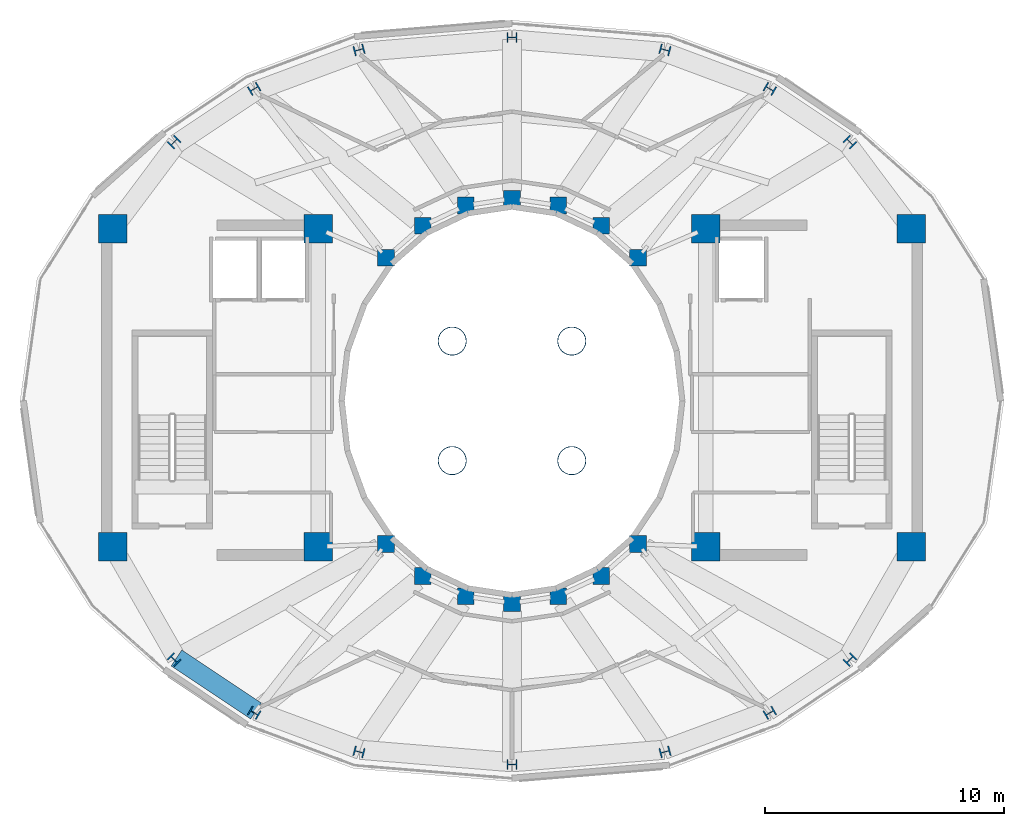
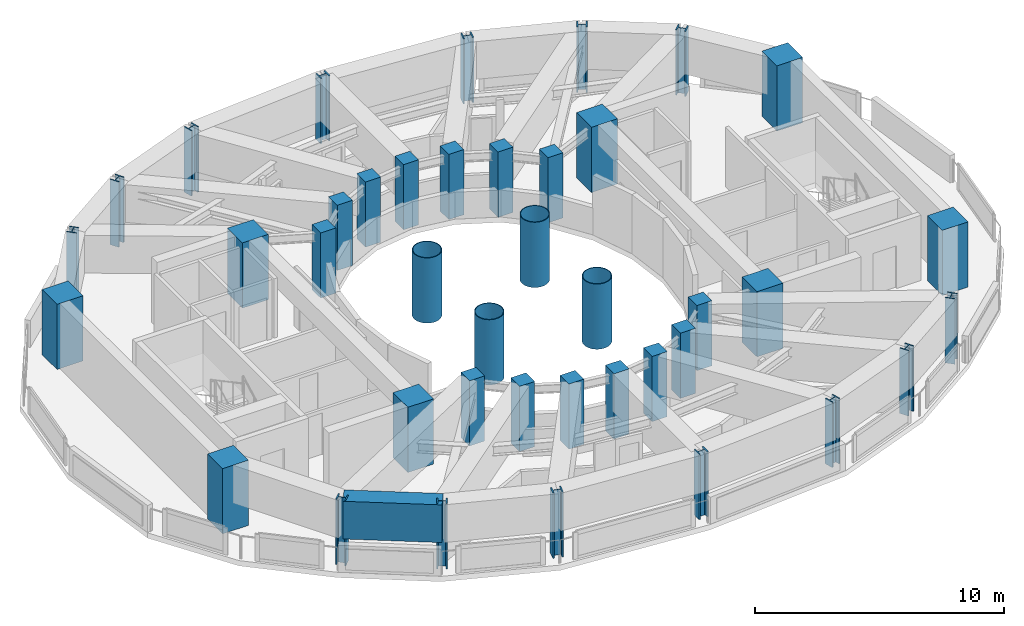
# One storey, part 1 of 17: 40 columns, 1 beam.
"""IFC4 building model written with IfcOpenShell, lengths in metres."""

from ifc_helpers import new_model, si_unit, direction, frame, origin, origin_2d, place, context, subcontext, project, spatial, rectangle, hollow_circle, i_section, extrude, material, material_profile, profile_set, type_object, element, save


model = new_model("IFC4")

# Units and contexts
model_context = context("Model", 3, precision=1e-05, world=origin(), true_north=direction((0.0, 1.0)))
body_context = subcontext(model_context, "Body", "Model", "MODEL_VIEW")
ifc_project = project(units=[si_unit("LENGTHUNIT", "METRE"), si_unit("AREAUNIT", "SQUARE_METRE"), si_unit("VOLUMEUNIT", "CUBIC_METRE"), si_unit("PLANEANGLEUNIT", "RADIAN"), si_unit("MASSUNIT", "GRAM", prefix="KILO")], contexts=[model_context])

# Site, building, storey
site_placement = place(None, origin())
site = spatial("IfcSite", under=ifc_project, at=site_placement, CompositionType="ELEMENT")
building_placement = place(site_placement, origin())
building = spatial("IfcBuilding", under=site, at=building_placement, Name="Solvane Sanctuary Tower", CompositionType="ELEMENT")
storey_placement = place(building_placement, frame((0.0, 0.0, 270.0)))
storey = spatial("IfcBuildingStorey", under=building, at=storey_placement, Name="L82", CompositionType="ELEMENT", Elevation=270.0)

# Columns
ifc_material_1 = material(Name="Steel ASTM A913 Grade 65", Category="steel")
ifc_material_profile_1 = material_profile(ifc_material_1, i_section(OverallWidth=0.412109375, OverallDepth=0.43505859375, WebThickness=0.035888671875, FlangeThickness=0.057373046875, FilletRadius=0.02490234375, at=origin_2d()), Name="W14X311")
ifc_profile_set_1 = profile_set([ifc_material_profile_1], Name="Steel ASTM A913 Grade 65")
column_type_1 = type_object("IfcColumnType", Name="Column C-CROWN W14X311", PredefinedType="COLUMN", material=ifc_profile_set_1)
for number, where, z_axis, x_axis, name in (
    (1, (46.13427734375, 33.82275390625, 0.0), (0.0, 0.0, 1.0), (0.707106781187, 0.707106781187, 0.0), "L82 Perimeter Tube Column TC01"),
    (2, (42.7841796875, 36.051025390625, 0.0), (0.0, 0.0, 1.0), (0.5, 0.866025403784, 0.0), "L82 Perimeter Tube Column TC02"),
    (3, (38.398681640625, 37.681640625, 0.0), (0.0, 0.0, 1.0), (0.258819045103, 0.965925826289, 0.0), "L82 Perimeter Tube Column TC03"),
    (4, (32.0, 38.20703125, 0.0), (0.0, 0.0, 1.0), (0.0, 1.0, 0.0), "L82 Perimeter Tube Column TC04"),
    (5, (25.601318359375, 37.681640625, 0.0), (0.0, 0.0, 1.0), (-0.258819045103, 0.965925826289, 0.0), "L82 Perimeter Tube Column TC05"),
    (6, (21.2158203125, 36.051025390625, 0.0), (0.0, 0.0, 1.0), (-0.5, 0.866025403784, 0.0), "L82 Perimeter Tube Column TC06"),
    (7, (17.86572265625, 33.82275390625, 0.0), (0.0, 0.0, 1.0), (-0.707106781187, 0.707106781187, 0.0), "L82 Perimeter Tube Column TC07"),
    (8, (17.86572265625, 12.17724609375, 0.0), (0.0, 0.0, 1.0), (-0.707106781187, -0.707106781187, 0.0), "L82 Perimeter Tube Column TC08"),
    (9, (21.2158203125, 9.948974609375, 0.0), (0.0, 0.0, 1.0), (-0.5, -0.866025403784, 0.0), "L82 Perimeter Tube Column TC09"),
    (10, (25.601318359375, 8.318359375, 0.0), (0.0, 0.0, 1.0), (-0.258819045103, -0.965925826289, 0.0), "L82 Perimeter Tube Column TC10"),
    (11, (32.0, 7.79296875, 0.0), (0.0, 0.0, 1.0), (0.0, -1.0, 0.0), "L82 Perimeter Tube Column TC11"),
    (12, (38.398681640625, 8.318359375, 0.0), (0.0, 0.0, 1.0), (0.258819045103, -0.965925826289, 0.0), "L82 Perimeter Tube Column TC12"),
    (13, (42.7841796875, 9.948974609375, 0.0), (0.0, 0.0, 1.0), (0.5, -0.866025403784, 0.0), "L82 Perimeter Tube Column TC13"),
    (14, (46.13427734375, 12.17724609375, 0.0), (0.0, 0.0, 1.0), (0.707106781187, -0.707106781187, 0.0), "L82 Perimeter Tube Column TC14"),
):
    element("IfcColumn", number, at=place(storey_placement, frame(where, z_axis=z_axis, x_axis=x_axis)), inside=storey, type_object=column_type_1, Name=name, PredefinedType="COLUMN", context=body_context, shape_type="SweptSolid", body=[
        extrude(i_section(OverallWidth=0.412109375, OverallDepth=0.43505859375, WebThickness=0.035888671875, FlangeThickness=0.057373046875, FilletRadius=0.02490234375, at=origin_2d()), origin(), (0.0, 0.0, 1.0), 3.199951171875),
    ])
ifc_material_2 = material(Name="Concrete C50/60", Category="concrete")
ifc_material_profile_2 = material_profile(ifc_material_2, rectangle(XDim=0.699951171875, YDim=0.699951171875, at=origin_2d()), Name="RC700X700")
ifc_profile_set_2 = profile_set([ifc_material_profile_2], Name="Concrete C50/60")
column_type_2 = type_object("IfcColumnType", Name="Column C-RING-Z4 RC700X700", PredefinedType="COLUMN", material=ifc_profile_set_2)
for number, where, z_axis, x_axis, name in (
    (15, (37.27490234375, 28.982177734375, 0.0), (0.0, 0.0, 1.0), (1.0, 0.0, 0.0), "L82 Inner Light-Well Ring Column IC01"),
    (16, (35.72998046875, 30.32666015625, 0.0), (0.0, 0.0, 1.0), (1.0, 0.0, 0.0), "L82 Inner Light-Well Ring Column IC02"),
    (17, (33.930908203125, 31.171630859375, 0.0), (0.0, 0.0, 1.0), (1.0, 0.0, 0.0), "L82 Inner Light-Well Ring Column IC03"),
    (18, (32.0, 31.4599609375, 0.0), (0.0, 0.0, 1.0), (1.0, 0.0, 0.0), "L82 Inner Light-Well Ring Column IC04"),
    (19, (30.069091796875, 31.171630859375, 0.0), (0.0, 0.0, 1.0), (1.0, 0.0, 0.0), "L82 Inner Light-Well Ring Column IC05"),
    (20, (28.27001953125, 30.32666015625, 0.0), (0.0, 0.0, 1.0), (1.0, 0.0, 0.0), "L82 Inner Light-Well Ring Column IC06"),
    (21, (26.72509765625, 28.982177734375, 0.0), (0.0, 0.0, 1.0), (1.0, 0.0, 0.0), "L82 Inner Light-Well Ring Column IC07"),
    (22, (26.72509765625, 17.017822265625, 0.0), (0.0, 0.0, 1.0), (1.0, 0.0, 0.0), "L82 Inner Light-Well Ring Column IC08"),
    (23, (28.27001953125, 15.67333984375, 0.0), (0.0, 0.0, 1.0), (1.0, 0.0, 0.0), "L82 Inner Light-Well Ring Column IC09"),
    (24, (30.069091796875, 14.828369140625, 0.0), (0.0, 0.0, 1.0), (1.0, 0.0, 0.0), "L82 Inner Light-Well Ring Column IC10"),
    (25, (32.0, 14.5400390625, 0.0), (0.0, 0.0, 1.0), (1.0, 0.0, 0.0), "L82 Inner Light-Well Ring Column IC11"),
    (26, (33.930908203125, 14.828369140625, 0.0), (0.0, 0.0, 1.0), (1.0, 0.0, 0.0), "L82 Inner Light-Well Ring Column IC12"),
    (27, (35.72998046875, 15.67333984375, 0.0), (0.0, 0.0, 1.0), (1.0, 0.0, 0.0), "L82 Inner Light-Well Ring Column IC13"),
    (28, (37.27490234375, 17.017822265625, 0.0), (0.0, 0.0, 1.0), (1.0, 0.0, 0.0), "L82 Inner Light-Well Ring Column IC14"),
):
    element("IfcColumn", number, at=place(storey_placement, frame(where, z_axis=z_axis, x_axis=x_axis)), inside=storey, type_object=column_type_2, Name=name, PredefinedType="COLUMN", context=body_context, shape_type="SweptSolid", body=[
        extrude(rectangle(XDim=0.699951171875, YDim=0.699951171875, at=origin_2d()), origin(), (0.0, 0.0, 1.0), 3.199951171875),
    ])
ifc_material_profile_3 = material_profile(ifc_material_1, hollow_circle(Radius=0.60009765625, WallThickness=0.031982421875, at=origin_2d()), Name="CHS1200X32")
ifc_profile_set_3 = profile_set([ifc_material_profile_3], Name="Steel ASTM A913 Grade 65")
column_type_3 = type_object("IfcColumnType", Name="Column C-SPIRE-L CHS1200X32", PredefinedType="PILASTER", material=ifc_profile_set_3)
for number, where, z_axis, x_axis, name in (
    (29, (29.5, 20.5, 0.0), (0.0, 0.0, 1.0), (1.0, 0.0, 0.0), "L82 Spire Lower Anchorage Pilaster Leg 1"),
    (30, (34.5, 20.5, 0.0), (0.0, 0.0, 1.0), (1.0, 0.0, 0.0), "L82 Spire Lower Anchorage Pilaster Leg 2"),
    (31, (34.5, 25.5, 0.0), (0.0, 0.0, 1.0), (1.0, 0.0, 0.0), "L82 Spire Lower Anchorage Pilaster Leg 3"),
    (32, (29.5, 25.5, 0.0), (0.0, 0.0, 1.0), (1.0, 0.0, 0.0), "L82 Spire Lower Anchorage Pilaster Leg 4"),
):
    element("IfcColumn", number, at=place(storey_placement, frame(where, z_axis=z_axis, x_axis=x_axis)), inside=storey, type_object=column_type_3, Name=name, PredefinedType="PILASTER", context=body_context, shape_type="SweptSolid", body=[
        extrude(hollow_circle(Radius=0.60009765625, WallThickness=0.031982421875, at=origin_2d()), origin(), (0.0, 0.0, 1.0), 3.199951171875),
    ])
ifc_material_3 = material(Name="Concrete C70/85", Category="concrete")
ifc_material_profile_4 = material_profile(ifc_material_3, rectangle(XDim=1.199951171875, YDim=1.199951171875, at=origin_2d()), Name="RC1200X1200")
ifc_profile_set_4 = profile_set([ifc_material_profile_4], Name="Concrete C70/85")
column_type_4 = type_object("IfcColumnType", Name="Column C-TUBE-Z1 RC1200X1200", PredefinedType="COLUMN", material=ifc_profile_set_4)
for number, where, z_axis, x_axis, name in (
    (33, (15.300048828125, 16.89990234375, 0.0), (0.0, 0.0, 1.0), (1.0, 0.0, 0.0), "L82 Core Corner Column CW1"),
    (34, (23.89990234375, 16.89990234375, 0.0), (0.0, 0.0, 1.0), (1.0, 0.0, 0.0), "L82 Core Corner Column CW2"),
    (35, (23.89990234375, 30.199951171875, 0.0), (0.0, 0.0, 1.0), (1.0, 0.0, 0.0), "L82 Core Corner Column CW3"),
    (36, (15.300048828125, 30.199951171875, 0.0), (0.0, 0.0, 1.0), (1.0, 0.0, 0.0), "L82 Core Corner Column CW4"),
    (37, (40.10009765625, 16.89990234375, 0.0), (0.0, 0.0, 1.0), (1.0, 0.0, 0.0), "L82 Core Corner Column CE1"),
    (38, (48.699951171875, 16.89990234375, 0.0), (0.0, 0.0, 1.0), (1.0, 0.0, 0.0), "L82 Core Corner Column CE2"),
    (39, (48.699951171875, 30.199951171875, 0.0), (0.0, 0.0, 1.0), (1.0, 0.0, 0.0), "L82 Core Corner Column CE3"),
    (40, (40.10009765625, 30.199951171875, 0.0), (0.0, 0.0, 1.0), (1.0, 0.0, 0.0), "L82 Core Corner Column CE4"),
):
    element("IfcColumn", number, at=place(storey_placement, frame(where, z_axis=z_axis, x_axis=x_axis)), inside=storey, type_object=column_type_4, Name=name, PredefinedType="COLUMN", context=body_context, shape_type="SweptSolid", body=[
        extrude(rectangle(XDim=1.199951171875, YDim=1.199951171875, at=origin_2d()), origin(), (0.0, 0.0, 1.0), 3.199951171875),
    ])

# Beam
ifc_material_profile_5 = material_profile(ifc_material_3, rectangle(XDim=0.800048828125, YDim=1.85009765625, at=origin_2d()), Name="RC800X1850")
ifc_profile_set_5 = profile_set([ifc_material_profile_5], Name="Concrete C70/85")
beam_type = type_object("IfcBeamType", Name="Beam B-XFER-BLK RC800X1850", PredefinedType="BEAM", material=ifc_profile_set_5)
beam_placement = place(storey_placement, frame((17.96533203125, 12.241943359375, 2.27490234375), z_axis=(0.832388474479, -0.55419259067, 0.0), x_axis=(0.55419259067, 0.832388474479, 0.0)))
element("IfcBeam", 41, at=beam_placement, inside=storey, type_object=beam_type, Name="L82 Perimeter Step Transfer Ring NTC08-NTC09", PredefinedType="BEAM", context=body_context, shape_type="SweptSolid", body=[
    extrude(rectangle(XDim=0.800048828125, YDim=1.85009765625, at=origin_2d()), origin(), (0.0, 0.0, 1.0), 3.99658203125),
])

save(model, "model.ifc")
